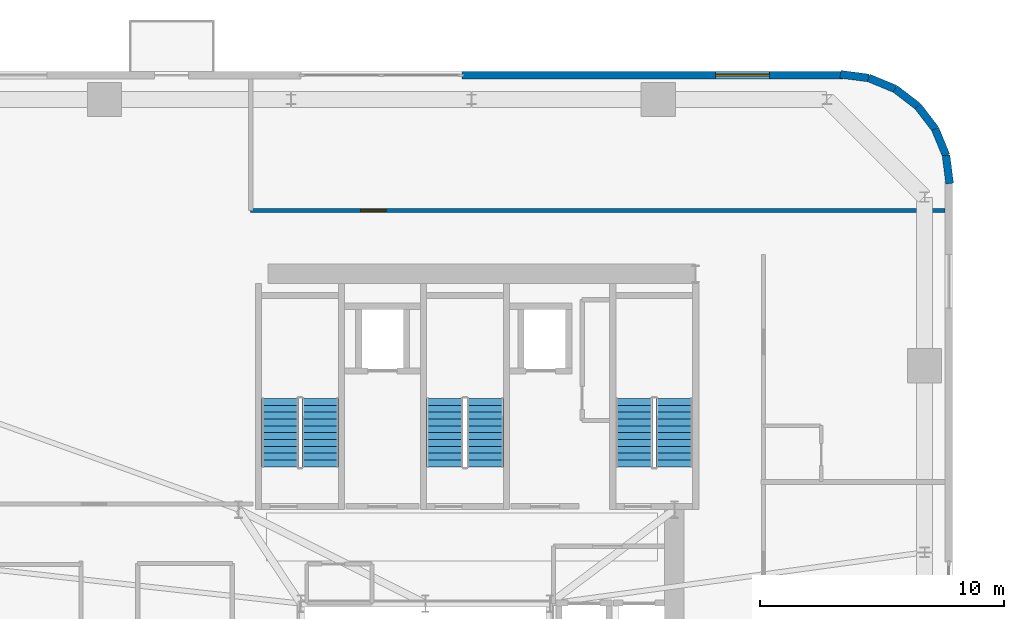
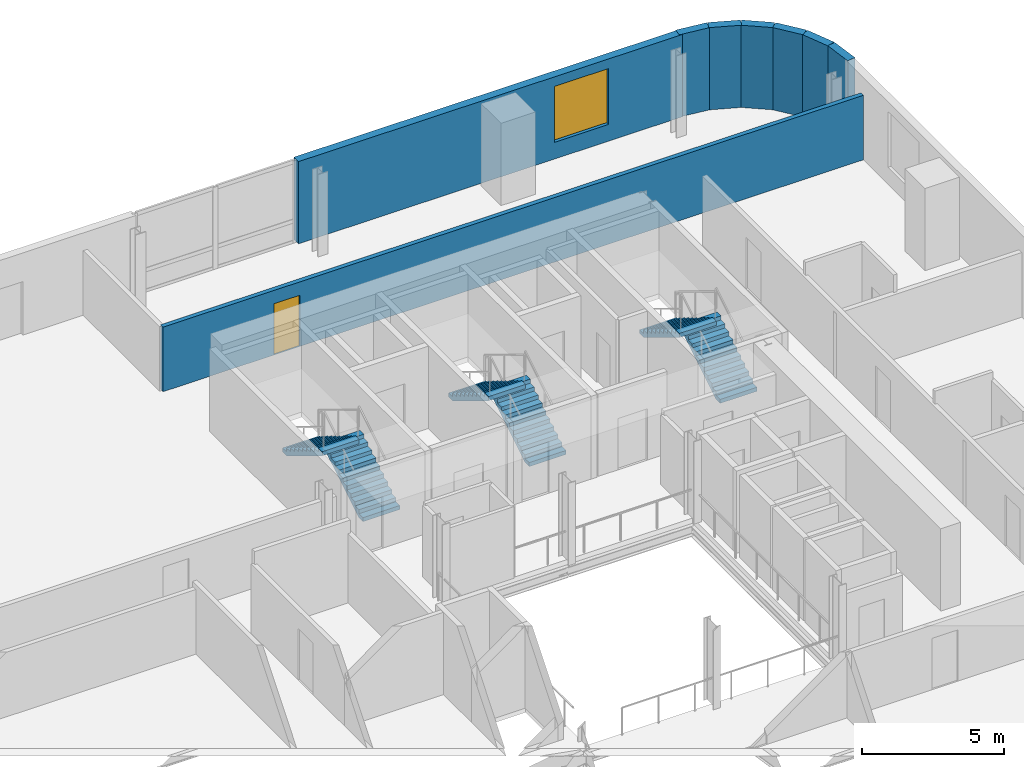
# One storey, part 11 of 16: 8 walls, 6 stair flights, 1 door, 1 window, 2 openings, 3 elements without a shape of their own.
"""IFC4 building model written with IfcOpenShell, lengths in metres."""

from ifc_helpers import new_model, si_unit, direction, frame, frame_2d, origin, place, context, subcontext, project, spatial, polyline, rectangle, outline, extrude, source, transform, mapped, material, layer, layer_set, type_object, element, fill, aggregate, save


model = new_model("IFC4")

# Units and contexts
model_context = context("Model", 3, precision=1e-05, world=origin(), true_north=direction((0.0, 1.0)))
body_context = subcontext(model_context, "Body", "Model", "MODEL_VIEW")
ifc_project = project(units=[si_unit("LENGTHUNIT", "METRE"), si_unit("AREAUNIT", "SQUARE_METRE"), si_unit("VOLUMEUNIT", "CUBIC_METRE"), si_unit("PLANEANGLEUNIT", "RADIAN"), si_unit("MASSUNIT", "GRAM", prefix="KILO")], contexts=[model_context])

# Site, building, storey
site_placement = place(None, origin())
site = spatial("IfcSite", under=ifc_project, at=site_placement, CompositionType="ELEMENT")
building_placement = place(site_placement, origin())
building = spatial("IfcBuilding", under=site, at=building_placement, Name="Vardaveli Station Tower", CompositionType="ELEMENT")
storey_placement = place(building_placement, frame((0.0, 0.0, 192.300048828125)))
storey = spatial("IfcBuildingStorey", under=building, at=storey_placement, Name="L49", CompositionType="ELEMENT", Elevation=192.300048828125)

# Wall, opening, window
ifc_material_1 = material(Name="Precast concrete C45/55", Category="concrete")
ifc_layer_1 = layer(ifc_material_1, 0.320068359375, Name="Precast concrete C45/55")
ifc_layer_set_1 = layer_set([ifc_layer_1], Name="Precast concrete C45/55")
wall_type_1 = type_object("IfcWallType", Name="WAL-EXT-STONE-320", PredefinedType="SOLIDWALL", material=ifc_layer_set_1)
shared_shape_1 = source(origin(), body_context, "Body", "SweptSolid", [
    extrude(rectangle(XDim=15.599853515625, YDim=0.320068359375, at=frame_2d((7.7998046875, 0.0))), origin(), (0.0, 0.0, 1.0), 3.530029296875),
])
wall_1_placement = place(storey_placement, frame((53.39990234375, 48.43994140625, 0.0), z_axis=(0.0, 0.0, 1.0), x_axis=(-1.0, 0.0, 0.0)))
wall_1 = element("IfcWall", 1, at=wall_1_placement, inside=storey, type_object=wall_type_1, Name="EW-L49-N1", PredefinedType="SOLIDWALL", context=body_context, shape_type="MappedRepresentation", body=[
    mapped(shared_shape_1, transform((0.0, 0.0, 0.0), scale=1.0)),
])
shared_shape_2 = source(origin(), body_context, "Body", "SweptSolid", [
    extrude(rectangle(XDim=2.199951171875, YDim=2.39990234375, at=frame_2d((1.10009765625, 1.199951171875))), frame((0.0, 0.169921875, 0.0), z_axis=(0.0, -1.0, 0.0), x_axis=(1.0, 0.0, 0.0)), (0.0, 0.0, 1.0), 0.340087890625),
])
opening_1_placement = place(wall_1_placement, frame((3.0048828125, 0.0, 0.719970703125)))
opening_1 = element("IfcOpeningElement", 2, at=opening_1_placement, cuts=wall_1, Name="Opening W-03", PredefinedType="OPENING", context=body_context, shape_type="MappedRepresentation", body=[
    mapped(shared_shape_2, transform((0.0, 0.0, 0.0), scale=1.0)),
])
ifc_material_2 = material(Name="Low-E solar-control glass", Category="glass")
window_type = type_object("IfcWindowType", Name="WIN-LOG-2200x2400", PartitioningType="SINGLE_PANEL", PredefinedType="WINDOW", material=ifc_material_2)
shared_shape_3 = source(origin(), body_context, "Body", "SweptSolid", [
    extrude(rectangle(XDim=2.199951171875, YDim=2.39990234375, at=frame_2d((1.10009765625, 1.199951171875))), frame((0.0, 0.030029296875, 0.0), z_axis=(0.0, -1.0, 0.0), x_axis=(1.0, 0.0, 0.0)), (0.0, 0.0, 1.0), 0.06005859375),
])
window_placement = place(opening_1_placement, origin())
window = element("IfcWindow", 3, at=window_placement, inside=storey, type_object=window_type, Name="WN-L49-N1", OverallHeight=2.39990234375, OverallWidth=2.199951171875, PartitioningType="SINGLE_PANEL", PredefinedType="WINDOW", context=body_context, shape_type="MappedRepresentation", body=[
    mapped(shared_shape_3, transform((0.0, 0.0, 0.0), scale=1.0)),
])
fill(opening_1, window)

# Walls
shared_shape_4 = source(origin(), body_context, "Body", "SweptSolid", [
    extrude(rectangle(XDim=1.1689453125, YDim=0.320068359375, at=frame_2d((0.58447265625, 0.0))), origin(), (0.0, 0.0, 1.0), 3.530029296875),
])
wall_2_placement = place(storey_placement, frame((57.179931640625, 46.2412109375, 0.0), z_axis=(0.0, 0.0, 1.0), x_axis=(-0.608387696831, 0.793639975269, 0.0)))
element("IfcWall", 4, at=wall_2_placement, inside=storey, type_object=wall_type_1, Name="EW-L49-CR3-3", PredefinedType="SOLIDWALL", context=body_context, shape_type="MappedRepresentation", body=[
    mapped(shared_shape_4, transform((0.0, 0.0, 0.0), scale=1.0)),
])
shared_shape_5 = source(origin(), body_context, "Body", "SweptSolid", [
    extrude(rectangle(XDim=1.168701171875, YDim=0.320068359375, at=frame_2d((0.58447265625, 0.0))), origin(), (0.0, 0.0, 1.0), 3.530029296875),
])
wall_3_placement = place(storey_placement, frame((56.46875, 47.1689453125, 0.0), z_axis=(0.0, 0.0, 1.0), x_axis=(-0.793663520347, 0.608356981114, 0.0)))
element("IfcWall", 5, at=wall_3_placement, inside=storey, type_object=wall_type_1, Name="EW-L49-CR3-4", PredefinedType="SOLIDWALL", context=body_context, shape_type="MappedRepresentation", body=[
    mapped(shared_shape_5, transform((0.0, 0.0, 0.0), scale=1.0)),
])
shared_shape_6 = source(origin(), body_context, "Body", "SweptSolid", [
    extrude(rectangle(XDim=1.17041015625, YDim=0.320068359375, at=frame_2d((0.585205078125, 0.0))), origin(), (0.0, 0.0, 1.0), 3.530029296875),
])
for number, where, z_axis, x_axis, name in (
    (6, (57.775634765625, 43.99951171875, 0.0), (0.0, 0.0, 1.0), (-0.128295670475, 0.991735963317, 0.0), "EW-L49-CR3-1"),
    (7, (54.460205078125, 48.325439453125, 0.0), (0.0, 0.0, 1.0), (-0.991735963317, 0.128295670475, 0.0), "EW-L49-CR3-6"),
):
    element("IfcWall", number, at=place(storey_placement, frame(where, z_axis=z_axis, x_axis=x_axis)), inside=storey, type_object=wall_type_1, Name=name, PredefinedType="SOLIDWALL", context=body_context, shape_type="MappedRepresentation", body=[
        mapped(shared_shape_6, transform((0.0, 0.0, 0.0), scale=1.0)),
    ])
shared_shape_7 = source(origin(), body_context, "Body", "SweptSolid", [
    extrude(rectangle(XDim=1.169189453125, YDim=0.320068359375, at=frame_2d((0.58447265625, 0.0))), origin(), (0.0, 0.0, 1.0), 3.530029296875),
])
for number, where, z_axis, x_axis, name in (
    (8, (57.62548828125, 45.16015625, 0.0), (0.0, 0.0, 1.0), (-0.381054331552, 0.924552646638, 0.0), "EW-L49-CR3-2"),
    (9, (55.541259765625, 47.8798828125, 0.0), (0.0, 0.0, 1.0), (-0.924552646638, 0.381054331552, 0.0), "EW-L49-CR3-5"),
):
    element("IfcWall", number, at=place(storey_placement, frame(where, z_axis=z_axis, x_axis=x_axis)), inside=storey, type_object=wall_type_1, Name=name, PredefinedType="SOLIDWALL", context=body_context, shape_type="MappedRepresentation", body=[
        mapped(shared_shape_7, transform((0.0, 0.0, 0.0), scale=1.0)),
    ])

# Wall, opening, door
ifc_material_3 = material(Name="Fire-rated gypsum stud partition")
ifc_layer_2 = layer(ifc_material_3, 0.179931640625, Name="Fire-rated gypsum stud partition")
ifc_layer_set_2 = layer_set([ifc_layer_2], Name="Fire-rated gypsum stud partition")
wall_type_2 = type_object("IfcWallType", Name="WAL-CORR-180", PredefinedType="PARTITIONING", material=ifc_layer_set_2)
shared_shape_8 = source(origin(), body_context, "Body", "SweptSolid", [
    extrude(rectangle(XDim=28.427978515625, YDim=0.179931640625, at=frame_2d((14.2138671875, 0.0))), origin(), (0.0, 0.0, 1.0), 2.77197265625),
])
wall_4_placement = place(storey_placement, frame((29.14990234375, 42.89990234375, 0.0), z_axis=(0.0, 0.0, 1.0), x_axis=(1.0, 0.0, 0.0)))
wall_4 = element("IfcWall", 10, at=wall_4_placement, inside=storey, type_object=wall_type_2, Name="W-L49-NPS", PredefinedType="PARTITIONING", context=body_context, shape_type="MappedRepresentation", body=[
    mapped(shared_shape_8, transform((0.0, 0.0, 0.0), scale=1.0)),
])
shared_shape_9 = source(origin(), body_context, "Body", "SweptSolid", [
    extrude(rectangle(XDim=1.050048828125, YDim=2.199951171875, at=frame_2d((0.52490234375, 1.10009765625))), frame((0.0, 0.10009765625, 0.0), z_axis=(0.0, -1.0, 0.0), x_axis=(1.0, 0.0, 0.0)), (0.0, 0.0, 1.0), 0.199951171875),
])
opening_2_placement = place(wall_4_placement, frame((4.5, 0.0, 0.0)))
opening_2 = element("IfcOpeningElement", 11, at=opening_2_placement, cuts=wall_4, Name="Opening D-05", PredefinedType="OPENING", context=body_context, shape_type="MappedRepresentation", body=[
    mapped(shared_shape_9, transform((0.0, 0.0, 0.0), scale=1.0)),
])
ifc_material_4 = material(Name="Walnut veneer acoustic fire door")
door_type = type_object("IfcDoorType", Name="DR-SUITE-1050x2200", OperationType="NOTDEFINED", PredefinedType="DOOR", material=ifc_material_4)
shared_shape_10 = source(origin(), body_context, "Body", "SweptSolid", [
    extrude(rectangle(XDim=1.050048828125, YDim=2.199951171875, at=frame_2d((0.52490234375, 1.10009765625))), frame((0.0, 0.02490234375, 0.0), z_axis=(0.0, -1.0, 0.0), x_axis=(1.0, 0.0, 0.0)), (0.0, 0.0, 1.0), 0.050048828125),
])
door_placement = place(opening_2_placement, origin())
door = element("IfcDoor", 12, at=door_placement, inside=storey, type_object=door_type, Name="D-L49-NP1", OperationType="SINGLE_SWING_RIGHT", OverallHeight=2.199951171875, OverallWidth=1.050048828125, PredefinedType="DOOR", context=body_context, shape_type="MappedRepresentation", body=[
    mapped(shared_shape_10, transform((0.0, 0.0, 0.0), scale=1.0)),
])
fill(opening_2, door)

# Stair, stair flights
ifc_material_5 = material(Name="Concrete C40/50", Category="concrete")
stair_type = type_object("IfcStairType", Name="STR-CORE-1500", PredefinedType="HALF_TURN_STAIR", material=ifc_material_5)
stair_1_placement = place(storey_placement, origin())
stair_1 = element("IfcStair", 13, at=stair_1_placement, inside=storey, type_object=stair_type, Name="L49 ST-1", PredefinedType="HALF_TURN_STAIR")
stair_flight_type = type_object("IfcStairFlightType", Name="SFL-CORE-1500", PredefinedType="STRAIGHT", material=ifc_material_5)
shared_shape_11 = source(origin(), body_context, "Body", "SweptSolid", [
    extrude(outline(polyline([(0.0, 0.0), (0.0, 0.17041015625), (0.280029296875, 0.17041015625), (0.280029296875, 0.3408203125), (0.56005859375, 0.3408203125), (0.56005859375, 0.511474609375), (0.840087890625, 0.511474609375), (0.840087890625, 0.681884765625), (1.1201171875, 0.681884765625), (1.1201171875, 0.852294921875), (1.39990234375, 0.852294921875), (1.39990234375, 1.022705078125), (1.679931640625, 1.022705078125), (1.679931640625, 1.193115234375), (1.9599609375, 1.193115234375), (1.9599609375, 1.363525390625), (2.239990234375, 1.363525390625), (2.239990234375, 1.5341796875), (2.52001953125, 1.5341796875), (2.52001953125, 1.70458984375), (2.800048828125, 1.70458984375), (2.800048828125, 1.875), (2.800048828125, 1.529052734375), (0.288330078125, 0.0), (0.0, 0.0)])), frame((0.0, 0.75, 0.0), z_axis=(0.0, -1.0, 0.0), x_axis=(1.0, 0.0, 0.0)), (0.0, 0.0, 1.0), 1.5),
])
stair_flight_1_placement = place(storey_placement, frame((32.0, 32.39990234375, 0.0), z_axis=(0.0, 0.0, 1.0), x_axis=(0.0, 1.0, 0.0)))
stair_flight_1 = element("IfcStairFlight", 14, at=stair_flight_1_placement, type_object=stair_flight_type, Name="ST-1 flight 1", NumberOfRisers=11, NumberOfTreads=10, PredefinedType="STRAIGHT", RiserHeight=0.170454545, TreadLength=0.28, context=body_context, shape_type="MappedRepresentation", body=[
    mapped(shared_shape_11, transform((0.0, 0.0, 0.0), scale=1.0)),
])
stair_flight_2_placement = place(storey_placement, frame((30.35009765625, 35.199951171875, 1.875), z_axis=(0.0, 0.0, 1.0), x_axis=(0.0, -1.0, 0.0)))
stair_flight_2 = element("IfcStairFlight", 15, at=stair_flight_2_placement, type_object=stair_flight_type, Name="ST-1 flight 2", NumberOfRisers=11, NumberOfTreads=10, PredefinedType="STRAIGHT", RiserHeight=0.170454545, TreadLength=0.28, context=body_context, shape_type="MappedRepresentation", body=[
    mapped(shared_shape_11, transform((0.0, 0.0, 0.0), scale=1.0)),
])
aggregate(stair_1, [stair_flight_1, stair_flight_2])

stair_2_placement = place(storey_placement, origin())
stair_2 = element("IfcStair", 16, at=stair_2_placement, inside=storey, type_object=stair_type, Name="L49 ST-2", PredefinedType="HALF_TURN_STAIR")
stair_flight_3_placement = place(storey_placement, frame((38.75, 32.39990234375, 0.0), z_axis=(0.0, 0.0, 1.0), x_axis=(0.0, 1.0, 0.0)))
stair_flight_3 = element("IfcStairFlight", 17, at=stair_flight_3_placement, type_object=stair_flight_type, Name="ST-2 flight 1", NumberOfRisers=11, NumberOfTreads=10, PredefinedType="STRAIGHT", RiserHeight=0.170454545, TreadLength=0.28, context=body_context, shape_type="MappedRepresentation", body=[
    mapped(shared_shape_11, transform((0.0, 0.0, 0.0), scale=1.0)),
])
stair_flight_4_placement = place(storey_placement, frame((37.10009765625, 35.199951171875, 1.875), z_axis=(0.0, 0.0, 1.0), x_axis=(0.0, -1.0, 0.0)))
stair_flight_4 = element("IfcStairFlight", 18, at=stair_flight_4_placement, type_object=stair_flight_type, Name="ST-2 flight 2", NumberOfRisers=11, NumberOfTreads=10, PredefinedType="STRAIGHT", RiserHeight=0.170454545, TreadLength=0.28, context=body_context, shape_type="MappedRepresentation", body=[
    mapped(shared_shape_11, transform((0.0, 0.0, 0.0), scale=1.0)),
])
aggregate(stair_2, [stair_flight_3, stair_flight_4])

stair_3_placement = place(storey_placement, origin())
stair_3 = element("IfcStair", 19, at=stair_3_placement, inside=storey, type_object=stair_type, Name="L49 ST-3", PredefinedType="HALF_TURN_STAIR")
stair_flight_5_placement = place(storey_placement, frame((46.5, 32.39990234375, 0.0), z_axis=(0.0, 0.0, 1.0), x_axis=(0.0, 1.0, 0.0)))
stair_flight_5 = element("IfcStairFlight", 20, at=stair_flight_5_placement, type_object=stair_flight_type, Name="ST-3 flight 1", NumberOfRisers=11, NumberOfTreads=10, PredefinedType="STRAIGHT", RiserHeight=0.170454545, TreadLength=0.28, context=body_context, shape_type="MappedRepresentation", body=[
    mapped(shared_shape_11, transform((0.0, 0.0, 0.0), scale=1.0)),
])
stair_flight_6_placement = place(storey_placement, frame((44.85009765625, 35.199951171875, 1.875), z_axis=(0.0, 0.0, 1.0), x_axis=(0.0, -1.0, 0.0)))
stair_flight_6 = element("IfcStairFlight", 21, at=stair_flight_6_placement, type_object=stair_flight_type, Name="ST-3 flight 2", NumberOfRisers=11, NumberOfTreads=10, PredefinedType="STRAIGHT", RiserHeight=0.170454545, TreadLength=0.28, context=body_context, shape_type="MappedRepresentation", body=[
    mapped(shared_shape_11, transform((0.0, 0.0, 0.0), scale=1.0)),
])
aggregate(stair_3, [stair_flight_5, stair_flight_6])

save(model, "model.ifc")
